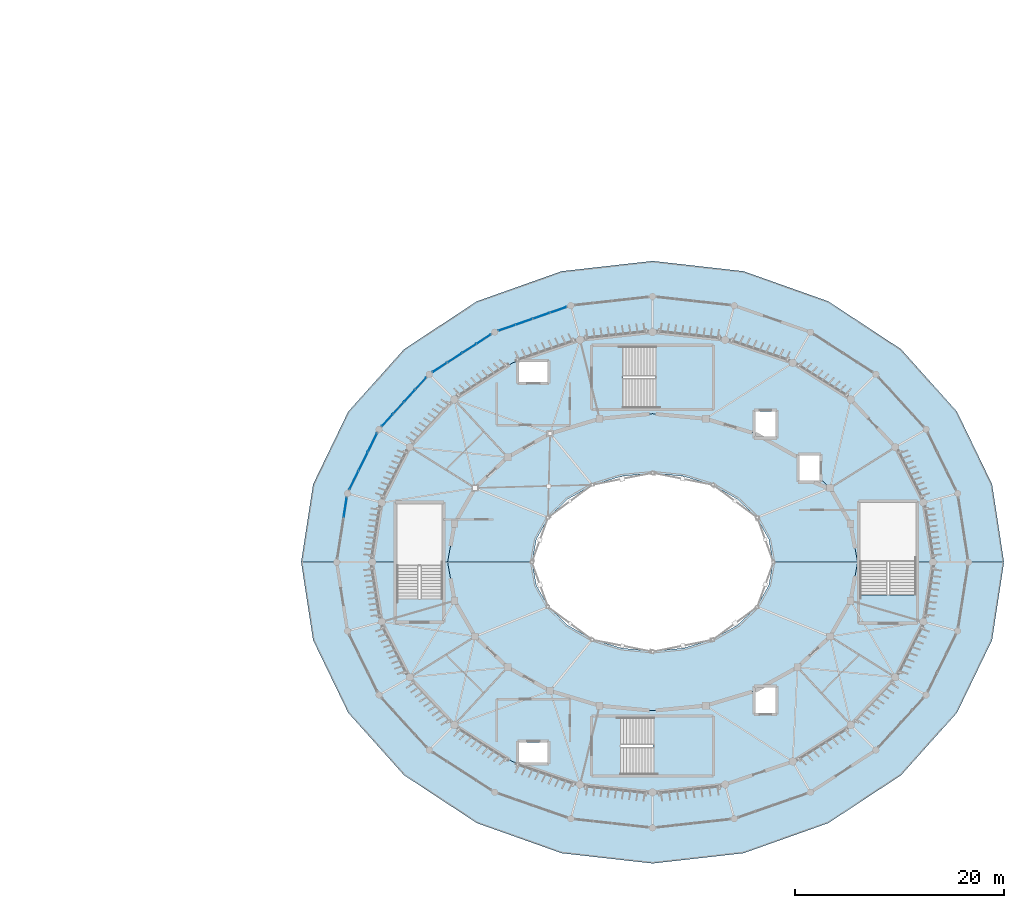
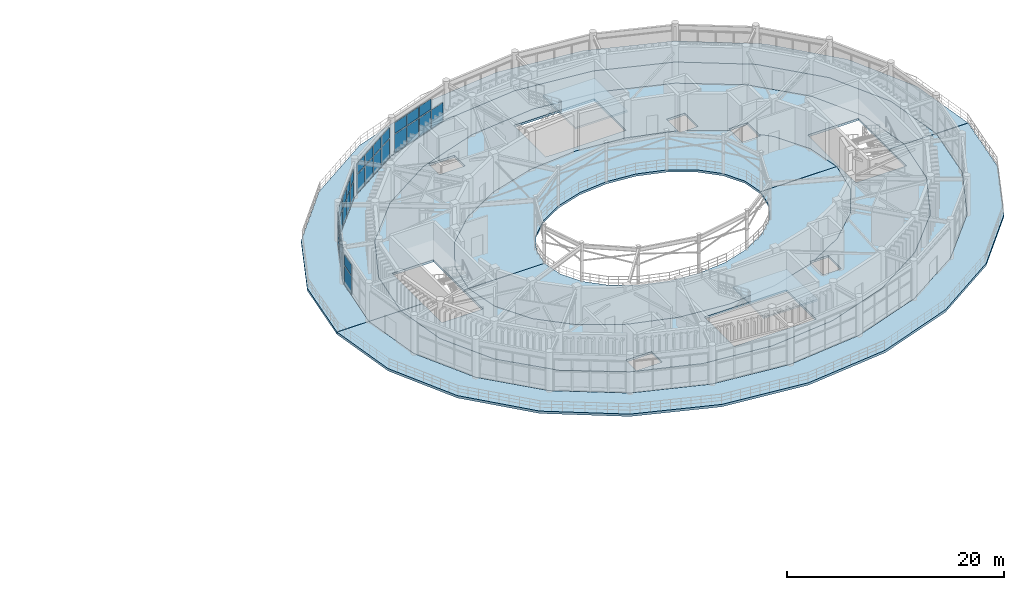
# One storey, part 20 of 45: 31 plates, 10 slabs, 7 elements without a shape of their own.
"""IFC4 building model written with IfcOpenShell, lengths in metres."""

from ifc_helpers import new_model, si_unit, direction, frame, origin, origin_2d, place, context, subcontext, project, spatial, polyline, rectangle, outline, extrude, material, layer, layer_set, type_object, element, aggregate, save


model = new_model("IFC4")

# Units and contexts
model_context = context("Model", 3, precision=1e-05, world=origin(), true_north=direction((0.0, 1.0)))
body_context = subcontext(model_context, "Body", "Model", "MODEL_VIEW")
ifc_project = project(units=[si_unit("LENGTHUNIT", "METRE"), si_unit("AREAUNIT", "SQUARE_METRE"), si_unit("VOLUMEUNIT", "CUBIC_METRE"), si_unit("PLANEANGLEUNIT", "RADIAN"), si_unit("MASSUNIT", "GRAM", prefix="KILO")], contexts=[model_context])

# Site, building, storey
site_placement = place(None, origin())
site = spatial("IfcSite", under=ifc_project, at=site_placement, CompositionType="ELEMENT")
building_placement = place(site_placement, origin())
building = spatial("IfcBuilding", under=site, at=building_placement, Name="Cinderbank Siding Concert Hall", CompositionType="ELEMENT")
storey_placement = place(building_placement, frame((0.0, 0.0, 19.199951171875)))
storey = spatial("IfcBuildingStorey", under=building, at=storey_placement, Name="L05", CompositionType="ELEMENT", Elevation=19.199951171875)

# Curtain wall, plates
ifc_material_1 = material(Name="Anodised aluminium alloy 6063-T6", Category="aluminium")
curtain_wall_type_1 = type_object("IfcCurtainWallType", Name="CW-10 Unitised Acoustic Curtain Wall 7200x3500", PredefinedType="NOTDEFINED", material=ifc_material_1)
curtain_wall_1_placement = place(storey_placement, origin())
curtain_wall_1 = element("IfcCurtainWall", 1, at=curtain_wall_1_placement, inside=storey, type_object=curtain_wall_type_1, Name="L05 Curtain Wall CW-10 #80", PredefinedType="NOTDEFINED")
ifc_material_2 = material(Name="Double-glazed laminated acoustic glass", Category="glass")
ifc_layer_1 = layer(ifc_material_2, 0.035888671875)
ifc_layer_set_1 = layer_set([ifc_layer_1], Name="Double-glazed laminated acoustic glass")
plate_type_1 = type_object("IfcPlateType", Name="CP-01 Glazed Curtain Panel 1800x2200", PredefinedType="CURTAIN_PANEL", material=ifc_layer_set_1)
plate_1_placement = place(storey_placement, frame((99.848388671875, 61.0869140625, 0.1201171875), z_axis=(0.0, 0.0, 1.0), x_axis=(-0.673988610863, -0.738741735945, 0.0)))
plate_1 = element("IfcPlate", 2, at=plate_1_placement, type_object=plate_type_1, Name="CW-L05-080 Glazed Panel 0-0", PredefinedType="CURTAIN_PANEL", context=body_context, shape_type="SweptSolid", body=[
    extrude(rectangle(XDim=1.485107421875, YDim=0.035888671875, at=origin_2d()), origin(), (0.0, 0.0, 1.0), 2.05810546875),
])
plate_2_placement = place(storey_placement, frame((99.848388671875, 61.0869140625, 2.298095703125), z_axis=(0.0, 0.0, 1.0), x_axis=(-0.673988610863, -0.738741735945, 0.0)))
plate_2 = element("IfcPlate", 3, at=plate_2_placement, type_object=plate_type_1, Name="CW-L05-080 Glazed Panel 0-1", PredefinedType="CURTAIN_PANEL", context=body_context, shape_type="SweptSolid", body=[
    extrude(rectangle(XDim=1.485107421875, YDim=0.035888671875, at=origin_2d()), origin(), (0.0, 0.0, 1.0), 1.19189453125),
])
plate_3_placement = place(storey_placement, frame((98.77978515625, 59.915771484375, 0.1201171875), z_axis=(0.0, 0.0, 1.0), x_axis=(-0.673988610863, -0.738741735945, 0.0)))
plate_3 = element("IfcPlate", 4, at=plate_3_placement, type_object=plate_type_1, Name="CW-L05-080 Glazed Panel 1-0", PredefinedType="CURTAIN_PANEL", context=body_context, shape_type="SweptSolid", body=[
    extrude(rectangle(XDim=1.485107421875, YDim=0.035888671875, at=origin_2d()), origin(), (0.0, 0.0, 1.0), 2.05810546875),
])
plate_4_placement = place(storey_placement, frame((98.77978515625, 59.915771484375, 2.298095703125), z_axis=(0.0, 0.0, 1.0), x_axis=(-0.673988610863, -0.738741735945, 0.0)))
plate_4 = element("IfcPlate", 5, at=plate_4_placement, type_object=plate_type_1, Name="CW-L05-080 Glazed Panel 1-1", PredefinedType="CURTAIN_PANEL", context=body_context, shape_type="SweptSolid", body=[
    extrude(rectangle(XDim=1.485107421875, YDim=0.035888671875, at=origin_2d()), origin(), (0.0, 0.0, 1.0), 1.19189453125),
])
plate_5_placement = place(storey_placement, frame((97.71142578125, 58.74462890625, 0.1201171875), z_axis=(0.0, 0.0, 1.0), x_axis=(-0.673988610863, -0.738741735945, 0.0)))
plate_5 = element("IfcPlate", 6, at=plate_5_placement, type_object=plate_type_1, Name="CW-L05-080 Glazed Panel 2-0", PredefinedType="CURTAIN_PANEL", context=body_context, shape_type="SweptSolid", body=[
    extrude(rectangle(XDim=1.485107421875, YDim=0.035888671875, at=origin_2d()), origin(), (0.0, 0.0, 1.0), 2.05810546875),
])
plate_6_placement = place(storey_placement, frame((97.71142578125, 58.74462890625, 2.298095703125), z_axis=(0.0, 0.0, 1.0), x_axis=(-0.673988610863, -0.738741735945, 0.0)))
plate_6 = element("IfcPlate", 7, at=plate_6_placement, type_object=plate_type_1, Name="CW-L05-080 Glazed Panel 2-1", PredefinedType="CURTAIN_PANEL", context=body_context, shape_type="SweptSolid", body=[
    extrude(rectangle(XDim=1.485107421875, YDim=0.035888671875, at=origin_2d()), origin(), (0.0, 0.0, 1.0), 1.19189453125),
])
plate_7_placement = place(storey_placement, frame((96.64306640625, 57.573486328125, 0.1201171875), z_axis=(0.0, 0.0, 1.0), x_axis=(-0.673988610863, -0.738741735945, 0.0)))
plate_7 = element("IfcPlate", 8, at=plate_7_placement, type_object=plate_type_1, Name="CW-L05-080 Glazed Panel 3-0", PredefinedType="CURTAIN_PANEL", context=body_context, shape_type="SweptSolid", body=[
    extrude(rectangle(XDim=1.485107421875, YDim=0.035888671875, at=origin_2d()), origin(), (0.0, 0.0, 1.0), 2.05810546875),
])
plate_8_placement = place(storey_placement, frame((96.64306640625, 57.573486328125, 2.298095703125), z_axis=(0.0, 0.0, 1.0), x_axis=(-0.673988610863, -0.738741735945, 0.0)))
plate_8 = element("IfcPlate", 9, at=plate_8_placement, type_object=plate_type_1, Name="CW-L05-080 Glazed Panel 3-1", PredefinedType="CURTAIN_PANEL", context=body_context, shape_type="SweptSolid", body=[
    extrude(rectangle(XDim=1.485107421875, YDim=0.035888671875, at=origin_2d()), origin(), (0.0, 0.0, 1.0), 1.19189453125),
])
aggregate(curtain_wall_1, [plate_1, plate_2, plate_3, plate_4, plate_5, plate_6, plate_7, plate_8])

curtain_wall_type_2 = type_object("IfcCurtainWallType", Name="CW-11 Unitised Acoustic Curtain Wall 6600x3500", PredefinedType="NOTDEFINED", material=ifc_material_1)
curtain_wall_2_placement = place(storey_placement, origin())
curtain_wall_2 = element("IfcCurtainWall", 10, at=curtain_wall_2_placement, inside=storey, type_object=curtain_wall_type_2, Name="L05 Curtain Wall CW-11 #81", PredefinedType="NOTDEFINED")
ifc_layer_2 = layer(ifc_material_2, 0.035888671875)
ifc_layer_set_2 = layer_set([ifc_layer_2], Name="Double-glazed laminated acoustic glass")
plate_type_2 = type_object("IfcPlateType", Name="CP-02 Glazed Curtain Panel 1800x1900", PredefinedType="CURTAIN_PANEL", material=ifc_layer_set_2)
plate_9_placement = place(storey_placement, frame((95.228271484375, 55.44580078125, 0.1201171875), z_axis=(0.0, 0.0, 1.0), x_axis=(-0.441816401468, -0.897105494016, 0.0)))
plate_9 = element("IfcPlate", 11, at=plate_9_placement, type_object=plate_type_2, Name="CW-L05-081 Glazed Panel 0-0", PredefinedType="CURTAIN_PANEL", context=body_context, shape_type="SweptSolid", body=[
    extrude(rectangle(XDim=1.916259765625, YDim=0.035888671875, at=origin_2d()), origin(), (0.0, 0.0, 1.0), 2.05810546875),
])
plate_10_placement = place(storey_placement, frame((95.228271484375, 55.44580078125, 2.298095703125), z_axis=(0.0, 0.0, 1.0), x_axis=(-0.441816401468, -0.897105494016, 0.0)))
plate_10 = element("IfcPlate", 12, at=plate_10_placement, type_object=plate_type_2, Name="CW-L05-081 Glazed Panel 0-1", PredefinedType="CURTAIN_PANEL", context=body_context, shape_type="SweptSolid", body=[
    extrude(rectangle(XDim=1.916259765625, YDim=0.035888671875, at=origin_2d()), origin(), (0.0, 0.0, 1.0), 1.19189453125),
])
plate_11_placement = place(storey_placement, frame((94.33740234375, 53.636962890625, 0.1201171875), z_axis=(0.0, 0.0, 1.0), x_axis=(-0.441816401468, -0.897105494016, 0.0)))
plate_11 = element("IfcPlate", 13, at=plate_11_placement, type_object=plate_type_2, Name="CW-L05-081 Glazed Panel 1-0", PredefinedType="CURTAIN_PANEL", context=body_context, shape_type="SweptSolid", body=[
    extrude(rectangle(XDim=1.916259765625, YDim=0.035888671875, at=origin_2d()), origin(), (0.0, 0.0, 1.0), 2.05810546875),
])
plate_12_placement = place(storey_placement, frame((94.33740234375, 53.636962890625, 2.298095703125), z_axis=(0.0, 0.0, 1.0), x_axis=(-0.441816401468, -0.897105494016, 0.0)))
plate_12 = element("IfcPlate", 14, at=plate_12_placement, type_object=plate_type_2, Name="CW-L05-081 Glazed Panel 1-1", PredefinedType="CURTAIN_PANEL", context=body_context, shape_type="SweptSolid", body=[
    extrude(rectangle(XDim=1.916259765625, YDim=0.035888671875, at=origin_2d()), origin(), (0.0, 0.0, 1.0), 1.19189453125),
])
plate_13_placement = place(storey_placement, frame((93.44677734375, 51.828125, 0.1201171875), z_axis=(0.0, 0.0, 1.0), x_axis=(-0.441816401468, -0.897105494016, 0.0)))
plate_13 = element("IfcPlate", 15, at=plate_13_placement, type_object=plate_type_2, Name="CW-L05-081 Glazed Panel 2-0", PredefinedType="CURTAIN_PANEL", context=body_context, shape_type="SweptSolid", body=[
    extrude(rectangle(XDim=1.916259765625, YDim=0.035888671875, at=origin_2d()), origin(), (0.0, 0.0, 1.0), 2.05810546875),
])
plate_14_placement = place(storey_placement, frame((93.44677734375, 51.828125, 2.298095703125), z_axis=(0.0, 0.0, 1.0), x_axis=(-0.441816401468, -0.897105494016, 0.0)))
plate_14 = element("IfcPlate", 16, at=plate_14_placement, type_object=plate_type_2, Name="CW-L05-081 Glazed Panel 2-1", PredefinedType="CURTAIN_PANEL", context=body_context, shape_type="SweptSolid", body=[
    extrude(rectangle(XDim=1.916259765625, YDim=0.035888671875, at=origin_2d()), origin(), (0.0, 0.0, 1.0), 1.19189453125),
])
aggregate(curtain_wall_2, [plate_9, plate_10, plate_11, plate_12, plate_13, plate_14])

curtain_wall_type_3 = type_object("IfcCurtainWallType", Name="CW-12 Unitised Acoustic Curtain Wall 5800x3500", PredefinedType="NOTDEFINED", material=ifc_material_1)
curtain_wall_3_placement = place(storey_placement, origin())
curtain_wall_3 = element("IfcCurtainWall", 17, at=curtain_wall_3_placement, inside=storey, type_object=curtain_wall_type_3, Name="L05 Curtain Wall CW-12 #82", PredefinedType="NOTDEFINED")
ifc_layer_3 = layer(ifc_material_2, 0.035888671875)
ifc_layer_set_3 = layer_set([ifc_layer_3], Name="Double-glazed laminated acoustic glass")
plate_type_3 = type_object("IfcPlateType", Name="CP-03 Glazed Curtain Panel 1600x2100", PredefinedType="CURTAIN_PANEL", material=ifc_layer_set_3)
plate_15_placement = place(storey_placement, frame((92.6171875, 49.221435546875, 0.1201171875), z_axis=(0.0, 0.0, 1.0), x_axis=(-0.154642773708, -0.987970451248, 0.0)))
plate_15 = element("IfcPlate", 18, at=plate_15_placement, type_object=plate_type_3, Name="CW-L05-082 Glazed Panel 0-0", PredefinedType="CURTAIN_PANEL", context=body_context, shape_type="SweptSolid", body=[
    extrude(rectangle(XDim=1.85791015625, YDim=0.035888671875, at=origin_2d()), origin(), (0.0, 0.0, 1.0), 2.05810546875),
])
plate_16_placement = place(storey_placement, frame((92.6171875, 49.221435546875, 2.298095703125), z_axis=(0.0, 0.0, 1.0), x_axis=(-0.154642773708, -0.987970451248, 0.0)))
plate_16 = element("IfcPlate", 19, at=plate_16_placement, type_object=plate_type_3, Name="CW-L05-082 Glazed Panel 0-1", PredefinedType="CURTAIN_PANEL", context=body_context, shape_type="SweptSolid", body=[
    extrude(rectangle(XDim=1.85791015625, YDim=0.035888671875, at=origin_2d()), origin(), (0.0, 0.0, 1.0), 1.19189453125),
])
aggregate(curtain_wall_3, [plate_15, plate_16])

curtain_wall_4_placement = place(storey_placement, origin())
curtain_wall_4 = element("IfcCurtainWall", 20, at=curtain_wall_4_placement, inside=storey, type_object=curtain_wall_type_3, Name="L05 Curtain Wall CW-12 #78", PredefinedType="NOTDEFINED")
ifc_layer_4 = layer(ifc_material_2, 0.033935546875)
ifc_layer_set_4 = layer_set([ifc_layer_4], Name="Double-glazed laminated acoustic glass")
plate_type_4 = type_object("IfcPlateType", Name="CP-07 Glazed Curtain Panel 1500x1750", PredefinedType="CURTAIN_PANEL", material=ifc_layer_set_4)
plate_17_placement = place(storey_placement, frame((112.9970703125, 68.12109375, 0.1201171875), z_axis=(0.0, 0.0, 1.0), x_axis=(-0.944334191914, -0.328987741387, 0.0)))
plate_17 = element("IfcPlate", 21, at=plate_17_placement, type_object=plate_type_4, Name="CW-L05-078 Glazed Panel 0-0", PredefinedType="CURTAIN_PANEL", context=body_context, shape_type="SweptSolid", body=[
    extrude(rectangle(XDim=1.63330078125, YDim=0.035888671875, at=origin_2d()), origin(), (0.0, 0.0, 1.0), 2.05810546875),
])
plate_18_placement = place(storey_placement, frame((111.360107421875, 67.55078125, 0.1201171875), z_axis=(0.0, 0.0, 1.0), x_axis=(-0.944334191914, -0.328987741387, 0.0)))
plate_18 = element("IfcPlate", 22, at=plate_18_placement, type_object=plate_type_4, Name="CW-L05-078 Glazed Panel 1-0", PredefinedType="CURTAIN_PANEL", context=body_context, shape_type="SweptSolid", body=[
    extrude(rectangle(XDim=1.63330078125, YDim=0.035888671875, at=origin_2d()), origin(), (0.0, 0.0, 1.0), 2.05810546875),
])
plate_19_placement = place(storey_placement, frame((111.360107421875, 67.55078125, 2.298095703125), z_axis=(0.0, 0.0, 1.0), x_axis=(-0.944334191914, -0.328987741387, 0.0)))
plate_19 = element("IfcPlate", 23, at=plate_19_placement, type_object=plate_type_4, Name="CW-L05-078 Glazed Panel 1-1", PredefinedType="CURTAIN_PANEL", context=body_context, shape_type="SweptSolid", body=[
    extrude(rectangle(XDim=1.63330078125, YDim=0.035888671875, at=origin_2d()), origin(), (0.0, 0.0, 1.0), 1.19189453125),
])
plate_20_placement = place(storey_placement, frame((109.723388671875, 66.980712890625, 0.1201171875), z_axis=(0.0, 0.0, 1.0), x_axis=(-0.944334191914, -0.328987741387, 0.0)))
plate_20 = element("IfcPlate", 24, at=plate_20_placement, type_object=plate_type_4, Name="CW-L05-078 Glazed Panel 2-0", PredefinedType="CURTAIN_PANEL", context=body_context, shape_type="SweptSolid", body=[
    extrude(rectangle(XDim=1.63330078125, YDim=0.035888671875, at=origin_2d()), origin(), (0.0, 0.0, 1.0), 2.05810546875),
])
plate_21_placement = place(storey_placement, frame((109.723388671875, 66.980712890625, 2.298095703125), z_axis=(0.0, 0.0, 1.0), x_axis=(-0.944334191914, -0.328987741387, 0.0)))
plate_21 = element("IfcPlate", 25, at=plate_21_placement, type_object=plate_type_4, Name="CW-L05-078 Glazed Panel 2-1", PredefinedType="CURTAIN_PANEL", context=body_context, shape_type="SweptSolid", body=[
    extrude(rectangle(XDim=1.63330078125, YDim=0.035888671875, at=origin_2d()), origin(), (0.0, 0.0, 1.0), 1.19189453125),
])
plate_22_placement = place(storey_placement, frame((108.086669921875, 66.410400390625, 0.1201171875), z_axis=(0.0, 0.0, 1.0), x_axis=(-0.944334191914, -0.328987741387, 0.0)))
plate_22 = element("IfcPlate", 26, at=plate_22_placement, type_object=plate_type_4, Name="CW-L05-078 Glazed Panel 3-0", PredefinedType="CURTAIN_PANEL", context=body_context, shape_type="SweptSolid", body=[
    extrude(rectangle(XDim=1.63330078125, YDim=0.035888671875, at=origin_2d()), origin(), (0.0, 0.0, 1.0), 2.05810546875),
])
plate_23_placement = place(storey_placement, frame((108.086669921875, 66.410400390625, 2.298095703125), z_axis=(0.0, 0.0, 1.0), x_axis=(-0.944334191914, -0.328987741387, 0.0)))
plate_23 = element("IfcPlate", 27, at=plate_23_placement, type_object=plate_type_4, Name="CW-L05-078 Glazed Panel 3-1", PredefinedType="CURTAIN_PANEL", context=body_context, shape_type="SweptSolid", body=[
    extrude(rectangle(XDim=1.63330078125, YDim=0.035888671875, at=origin_2d()), origin(), (0.0, 0.0, 1.0), 1.19189453125),
])
aggregate(curtain_wall_4, [plate_17, plate_18, plate_19, plate_20, plate_21, plate_22, plate_23])

curtain_wall_type_4 = type_object("IfcCurtainWallType", Name="CW-09 Unitised Acoustic Curtain Wall 8000x3500", PredefinedType="NOTDEFINED", material=ifc_material_1)
curtain_wall_5_placement = place(storey_placement, origin())
curtain_wall_5 = element("IfcCurtainWall", 28, at=curtain_wall_5_placement, inside=storey, type_object=curtain_wall_type_4, Name="L05 Curtain Wall CW-09 #79", PredefinedType="NOTDEFINED")
ifc_layer_5 = layer(ifc_material_2, 0.033935546875)
ifc_layer_set_5 = layer_set([ifc_layer_5], Name="Double-glazed laminated acoustic glass")
plate_type_5 = type_object("IfcPlateType", Name="CP-08 Glazed Curtain Panel 1700x1550", PredefinedType="CURTAIN_PANEL", material=ifc_layer_set_5)
plate_24_placement = place(storey_placement, frame((105.872314453125, 65.333740234375, 0.1201171875), z_axis=(0.0, 0.0, 1.0), x_axis=(-0.840218663385, -0.542247727243, 0.0)))
plate_24 = element("IfcPlate", 29, at=plate_24_placement, type_object=plate_type_5, Name="CW-L05-079 Glazed Panel 0-0", PredefinedType="CURTAIN_PANEL", context=body_context, shape_type="SweptSolid", body=[
    extrude(rectangle(XDim=1.56591796875, YDim=0.035888671875, at=origin_2d()), origin(), (0.0, 0.0, 1.0), 2.05810546875),
])
plate_25_placement = place(storey_placement, frame((105.872314453125, 65.333740234375, 2.298095703125), z_axis=(0.0, 0.0, 1.0), x_axis=(-0.840218663385, -0.542247727243, 0.0)))
plate_25 = element("IfcPlate", 30, at=plate_25_placement, type_object=plate_type_5, Name="CW-L05-079 Glazed Panel 0-1", PredefinedType="CURTAIN_PANEL", context=body_context, shape_type="SweptSolid", body=[
    extrude(rectangle(XDim=1.56591796875, YDim=0.035888671875, at=origin_2d()), origin(), (0.0, 0.0, 1.0), 1.19189453125),
])
plate_26_placement = place(storey_placement, frame((104.47265625, 64.430419921875, 0.1201171875), z_axis=(0.0, 0.0, 1.0), x_axis=(-0.840218663385, -0.542247727243, 0.0)))
plate_26 = element("IfcPlate", 31, at=plate_26_placement, type_object=plate_type_5, Name="CW-L05-079 Glazed Panel 1-0", PredefinedType="CURTAIN_PANEL", context=body_context, shape_type="SweptSolid", body=[
    extrude(rectangle(XDim=1.56591796875, YDim=0.035888671875, at=origin_2d()), origin(), (0.0, 0.0, 1.0), 2.05810546875),
])
plate_27_placement = place(storey_placement, frame((104.47265625, 64.430419921875, 2.298095703125), z_axis=(0.0, 0.0, 1.0), x_axis=(-0.840218663385, -0.542247727243, 0.0)))
plate_27 = element("IfcPlate", 32, at=plate_27_placement, type_object=plate_type_5, Name="CW-L05-079 Glazed Panel 1-1", PredefinedType="CURTAIN_PANEL", context=body_context, shape_type="SweptSolid", body=[
    extrude(rectangle(XDim=1.56591796875, YDim=0.035888671875, at=origin_2d()), origin(), (0.0, 0.0, 1.0), 1.19189453125),
])
plate_28_placement = place(storey_placement, frame((103.07275390625, 63.527099609375, 0.1201171875), z_axis=(0.0, 0.0, 1.0), x_axis=(-0.840218663385, -0.542247727243, 0.0)))
plate_28 = element("IfcPlate", 33, at=plate_28_placement, type_object=plate_type_5, Name="CW-L05-079 Glazed Panel 2-0", PredefinedType="CURTAIN_PANEL", context=body_context, shape_type="SweptSolid", body=[
    extrude(rectangle(XDim=1.56591796875, YDim=0.035888671875, at=origin_2d()), origin(), (0.0, 0.0, 1.0), 2.05810546875),
])
plate_29_placement = place(storey_placement, frame((103.07275390625, 63.527099609375, 2.298095703125), z_axis=(0.0, 0.0, 1.0), x_axis=(-0.840218663385, -0.542247727243, 0.0)))
plate_29 = element("IfcPlate", 34, at=plate_29_placement, type_object=plate_type_5, Name="CW-L05-079 Glazed Panel 2-1", PredefinedType="CURTAIN_PANEL", context=body_context, shape_type="SweptSolid", body=[
    extrude(rectangle(XDim=1.56591796875, YDim=0.035888671875, at=origin_2d()), origin(), (0.0, 0.0, 1.0), 1.19189453125),
])
plate_30_placement = place(storey_placement, frame((101.673095703125, 62.623779296875, 0.1201171875), z_axis=(0.0, 0.0, 1.0), x_axis=(-0.840218663385, -0.542247727243, 0.0)))
plate_30 = element("IfcPlate", 35, at=plate_30_placement, type_object=plate_type_5, Name="CW-L05-079 Glazed Panel 3-0", PredefinedType="CURTAIN_PANEL", context=body_context, shape_type="SweptSolid", body=[
    extrude(rectangle(XDim=1.56591796875, YDim=0.035888671875, at=origin_2d()), origin(), (0.0, 0.0, 1.0), 2.05810546875),
])
plate_31_placement = place(storey_placement, frame((101.673095703125, 62.623779296875, 2.298095703125), z_axis=(0.0, 0.0, 1.0), x_axis=(-0.840218663385, -0.542247727243, 0.0)))
plate_31 = element("IfcPlate", 36, at=plate_31_placement, type_object=plate_type_5, Name="CW-L05-079 Glazed Panel 3-1", PredefinedType="CURTAIN_PANEL", context=body_context, shape_type="SweptSolid", body=[
    extrude(rectangle(XDim=1.56591796875, YDim=0.035888671875, at=origin_2d()), origin(), (0.0, 0.0, 1.0), 1.19189453125),
])
aggregate(curtain_wall_5, [plate_24, plate_25, plate_26, plate_27, plate_28, plate_29, plate_30, plate_31])

# Stair, slab
ifc_material_3 = material(Name="Reinforced concrete AS 3600 N50 (50 MPa)", Category="concrete")
stair_type_1 = type_object("IfcStairType", Name="STR-J Dogleg Exit Stair 2850mm", PredefinedType="HALF_TURN_STAIR", material=ifc_material_3)
stair_1_placement = place(storey_placement, origin())
stair_1 = element("IfcStair", 37, at=stair_1_placement, inside=storey, type_object=stair_type_1, Name="L05 Fire-isolated Exit Stair ST-01", PredefinedType="HALF_TURN_STAIR")
ifc_layer_6 = layer(ifc_material_3, 0.199951171875)
ifc_layer_set_6 = layer_set([ifc_layer_6], Name="Reinforced concrete AS 3600 N50 (50 MPa)")
slab_type_1 = type_object("IfcSlabType", Name="LD-02 Slab 200mm", PredefinedType="LANDING", material=ifc_layer_set_6)
slab_1_placement = place(storey_placement, frame((0.0, 0.0, 2.050048828125)))
slab_1 = element("IfcSlab", 38, at=slab_1_placement, type_object=slab_type_1, Name="ST-01 landing 1", PredefinedType="LANDING", context=body_context, shape_type="SweptSolid", body=[
    extrude(outline(polyline([(122.260009765625, 58.669921875), (122.260009765625, 64.68994140625), (127.780029296875, 64.68994140625), (127.780029296875, 58.669921875), (122.260009765625, 58.669921875)])), origin(), (0.0, 0.0, 1.0), 0.199951171875),
])
aggregate(stair_1, [slab_1])

stair_type_2 = type_object("IfcStairType", Name="STR-A Dogleg Exit Stair 2650mm", PredefinedType="HALF_TURN_STAIR", material=ifc_material_3)
stair_2_placement = place(storey_placement, origin())
stair_2 = element("IfcStair", 39, at=stair_2_placement, inside=storey, type_object=stair_type_2, Name="L05 Fire-isolated Exit Stair ST-02", PredefinedType="HALF_TURN_STAIR")
slab_2_placement = place(storey_placement, frame((0.0, 0.0, 2.050048828125)))
slab_2 = element("IfcSlab", 40, at=slab_2_placement, type_object=slab_type_1, Name="ST-02 landing 1", PredefinedType="LANDING", context=body_context, shape_type="SweptSolid", body=[
    extrude(outline(polyline([(122.06005859375, 23.6201171875), (122.06005859375, 29.239990234375), (127.780029296875, 29.239990234375), (127.780029296875, 23.6201171875), (122.06005859375, 23.6201171875)])), origin(), (0.0, 0.0, 1.0), 0.199951171875),
])
aggregate(stair_2, [slab_2])

# Slabs
ifc_layer_7 = layer(ifc_material_3, 0.25)
ifc_layer_set_7 = layer_set([ifc_layer_7], Name="Reinforced concrete AS 3600 N50 (50 MPa)")
slab_type_2 = type_object("IfcSlabType", Name="SL-04 Slab 250mm", PredefinedType="FLOOR", material=ifc_layer_set_7)
slab_3_placement = place(storey_placement, frame((0.0, 0.0, -0.25)))
element("IfcSlab", 41, at=slab_3_placement, inside=storey, type_object=slab_type_2, Name="L05 Upper Acoustic Gallery Ring North", PredefinedType="FLOOR", context=body_context, shape_type="SweptSolid", body=[
    extrude(outline(polyline([(108.140625, 54.041015625), (112.199951171875, 56.297607421875), (116.927001953125, 57.716064453125), (122.0, 58.199951171875), (127.072998046875, 57.716064453125), (131.800048828125, 56.297607421875), (131.820068359375, 55.969970703125), (132.389404296875, 55.969970703125), (135.859375, 54.041015625), (136.02001953125, 53.88916015625), (136.02001953125, 51.77001953125), (137.97998046875, 51.77001953125), (137.97998046875, 52.03857421875), (138.97412109375, 51.10009765625), (140.93212890625, 47.67529296875), (141.598876953125, 44.006103515625), (133.498779296875, 44.006103515625), (133.108154296875, 46.199951171875), (131.959228515625, 48.25), (130.131591796875, 50.010498046875), (127.75, 51.361083984375), (124.976318359375, 52.21044921875), (122.0, 52.5), (119.023681640625, 52.21044921875), (116.25, 51.361083984375), (113.868408203125, 50.010498046875), (112.040771484375, 48.25), (110.891845703125, 46.199951171875), (110.501220703125, 44.006103515625), (102.401123046875, 44.006103515625), (103.06787109375, 47.67529296875), (105.02587890625, 51.10009765625), (108.140625, 54.041015625)])), origin(), (0.0, 0.0, 1.0), 0.25),
])
slab_4_placement = place(storey_placement, frame((0.0, 0.0, -0.25)))
element("IfcSlab", 42, at=slab_4_placement, inside=storey, type_object=slab_type_2, Name="L05 Upper Acoustic Gallery Ring South", PredefinedType="FLOOR", context=body_context, shape_type="SweptSolid", body=[
    extrude(outline(polyline([(135.859375, 33.958984375), (132.389404296875, 32.030029296875), (131.820068359375, 32.030029296875), (131.800048828125, 31.702392578125), (127.072998046875, 30.283935546875), (122.0, 29.800048828125), (116.927001953125, 30.283935546875), (112.199951171875, 31.702392578125), (108.140625, 33.958984375), (105.02587890625, 36.89990234375), (103.06787109375, 40.32470703125), (102.401123046875, 43.993896484375), (110.501220703125, 43.993896484375), (110.891845703125, 41.800048828125), (112.040771484375, 39.75), (113.868408203125, 37.989501953125), (116.25, 36.638916015625), (119.023681640625, 35.78955078125), (122.0, 35.5), (124.976318359375, 35.78955078125), (127.75, 36.638916015625), (130.131591796875, 37.989501953125), (131.959228515625, 39.75), (133.108154296875, 41.800048828125), (133.498779296875, 43.993896484375), (141.598876953125, 43.993896484375), (140.93212890625, 40.32470703125), (138.97412109375, 36.89990234375), (135.859375, 33.958984375)])), origin(), (0.0, 0.0, 1.0), 0.25),
])
slab_5_placement = place(storey_placement, frame((0.0, 0.0, -0.25)))
element("IfcSlab", 43, at=slab_5_placement, inside=storey, type_object=slab_type_2, Name="L05 Broadcast & Archive Drum Ring North", PredefinedType="FLOOR", context=body_context, shape_type="SweptSolid", body=[
    extrude(outline(polyline([(122.0, 66.0), (128.936279296875, 65.25048828125), (135.39990234375, 63.052490234375), (140.950439453125, 59.556396484375), (145.20947265625, 55.0), (147.88671875, 49.694091796875), (148.799072265625, 44.006103515625), (147.219970703125, 44.006103515625), (147.219970703125, 49.719970703125), (141.820068359375, 49.719970703125), (141.820068359375, 44.006103515625), (141.598876953125, 44.006103515625), (140.93212890625, 47.67529296875), (138.97412109375, 51.10009765625), (137.97998046875, 52.03857421875), (137.97998046875, 54.22998046875), (136.02001953125, 54.22998046875), (136.02001953125, 53.88916015625), (135.859375, 54.041015625), (132.389404296875, 55.969970703125), (133.780029296875, 55.969970703125), (133.780029296875, 58.429931640625), (131.820068359375, 58.429931640625), (131.820068359375, 56.28662109375), (127.072998046875, 57.716064453125), (122.0, 58.199951171875), (116.927001953125, 57.716064453125), (112.199951171875, 56.297607421875), (108.140625, 54.041015625), (105.02587890625, 51.10009765625), (103.06787109375, 47.67529296875), (102.401123046875, 44.006103515625), (101.919921875, 44.006103515625), (101.919921875, 49.6201171875), (97.52001953125, 49.6201171875), (97.52001953125, 44.006103515625), (95.200927734375, 44.006103515625), (96.11328125, 49.694091796875), (98.79052734375, 55.0), (103.049560546875, 59.556396484375), (108.60009765625, 63.052490234375), (115.063720703125, 65.25048828125), (122.0, 66.0)]), holes=[polyline([(119.14990234375, 58.75), (127.699951171875, 58.75), (127.699951171875, 64.610107421875), (119.14990234375, 64.610107421875), (119.14990234375, 58.75)]), polyline([(111.97998046875, 61.219970703125), (111.97998046875, 63.179931640625), (109.219970703125, 63.179931640625), (109.219970703125, 61.219970703125), (111.97998046875, 61.219970703125)])]), origin(), (0.0, 0.0, 1.0), 0.25),
])
slab_6_placement = place(storey_placement, frame((0.0, 0.0, -0.25)))
element("IfcSlab", 44, at=slab_6_placement, inside=storey, type_object=slab_type_2, Name="L05 Broadcast & Archive Drum Ring South", PredefinedType="FLOOR", context=body_context, shape_type="SweptSolid", body=[
    extrude(outline(polyline([(122.0, 22.0), (115.063720703125, 22.74951171875), (108.60009765625, 24.947509765625), (103.049560546875, 28.443603515625), (98.79052734375, 33.0), (96.11328125, 38.305908203125), (95.200927734375, 43.993896484375), (97.52001953125, 43.993896484375), (97.52001953125, 40.47998046875), (101.919921875, 40.47998046875), (101.919921875, 43.993896484375), (102.401123046875, 43.993896484375), (103.06787109375, 40.32470703125), (105.02587890625, 36.89990234375), (108.140625, 33.958984375), (112.199951171875, 31.702392578125), (116.927001953125, 30.283935546875), (122.0, 29.800048828125), (127.072998046875, 30.283935546875), (131.820068359375, 31.71337890625), (131.820068359375, 29.570068359375), (133.780029296875, 29.570068359375), (133.780029296875, 32.030029296875), (132.389404296875, 32.030029296875), (135.859375, 33.958984375), (138.97412109375, 36.89990234375), (140.93212890625, 40.32470703125), (141.598876953125, 43.993896484375), (141.820068359375, 43.993896484375), (141.820068359375, 40.8798828125), (147.219970703125, 40.8798828125), (147.219970703125, 43.993896484375), (148.799072265625, 43.993896484375), (147.88671875, 38.305908203125), (145.20947265625, 33.0), (140.950439453125, 28.443603515625), (135.39990234375, 24.947509765625), (128.936279296875, 22.74951171875), (122.0, 22.0)]), holes=[polyline([(118.949951171875, 23.699951171875), (127.699951171875, 23.699951171875), (127.699951171875, 29.159912109375), (118.949951171875, 29.159912109375), (118.949951171875, 23.699951171875)]), polyline([(111.97998046875, 24.820068359375), (111.97998046875, 26.780029296875), (109.219970703125, 26.780029296875), (109.219970703125, 24.820068359375), (111.97998046875, 24.820068359375)])]), origin(), (0.0, 0.0, 1.0), 0.25),
])
ifc_layer_8 = layer(ifc_material_3, 0.239990234375)
ifc_layer_set_8 = layer_set([ifc_layer_8], Name="Reinforced concrete AS 3600 N50 (50 MPa)")
slab_type_3 = type_object("IfcSlabType", Name="SL-06 Slab 240mm", PredefinedType="FLOOR", material=ifc_layer_set_8)
slab_7_placement = place(storey_placement, frame((0.0, 0.0, -0.239990234375)))
element("IfcSlab", 45, at=slab_7_placement, inside=storey, type_object=slab_type_3, Name="L05 Panorama Foyer & Sky Bar Ring North", PredefinedType="FLOOR", context=body_context, shape_type="SweptSolid", body=[
    extrude(outline(polyline([(92.8291015625, 50.573974609375), (95.845947265625, 56.699951171875), (100.6455078125, 61.96044921875), (106.89990234375, 65.9970703125), (114.18359375, 68.534423828125), (122.0, 69.39990234375), (129.81640625, 68.534423828125), (137.10009765625, 65.9970703125), (143.3544921875, 61.96044921875), (148.154052734375, 56.699951171875), (151.1708984375, 50.573974609375), (152.19921875, 44.006103515625), (148.799072265625, 44.006103515625), (147.88671875, 49.694091796875), (145.20947265625, 55.0), (140.950439453125, 59.556396484375), (135.39990234375, 63.052490234375), (128.936279296875, 65.25048828125), (122.0, 66.0), (115.063720703125, 65.25048828125), (108.60009765625, 63.052490234375), (103.049560546875, 59.556396484375), (98.79052734375, 55.0), (96.11328125, 49.694091796875), (95.200927734375, 44.006103515625), (91.80078125, 44.006103515625), (92.8291015625, 50.573974609375)])), origin(), (0.0, 0.0, 1.0), 0.239990234375),
])
slab_8_placement = place(storey_placement, frame((0.0, 0.0, -0.239990234375)))
element("IfcSlab", 46, at=slab_8_placement, inside=storey, type_object=slab_type_3, Name="L05 Panorama Foyer & Sky Bar Ring South", PredefinedType="FLOOR", context=body_context, shape_type="SweptSolid", body=[
    extrude(outline(polyline([(148.154052734375, 31.300048828125), (143.3544921875, 26.03955078125), (137.10009765625, 22.0029296875), (129.81640625, 19.465576171875), (122.0, 18.60009765625), (114.18359375, 19.465576171875), (106.89990234375, 22.0029296875), (100.6455078125, 26.03955078125), (95.845947265625, 31.300048828125), (92.8291015625, 37.426025390625), (91.80078125, 43.993896484375), (95.200927734375, 43.993896484375), (96.11328125, 38.305908203125), (98.79052734375, 33.0), (103.049560546875, 28.443603515625), (108.60009765625, 24.947509765625), (115.063720703125, 22.74951171875), (122.0, 22.0), (128.936279296875, 22.74951171875), (135.39990234375, 24.947509765625), (140.950439453125, 28.443603515625), (145.20947265625, 33.0), (147.88671875, 38.305908203125), (148.799072265625, 43.993896484375), (152.19921875, 43.993896484375), (151.1708984375, 37.426025390625), (148.154052734375, 31.300048828125)])), origin(), (0.0, 0.0, 1.0), 0.239990234375),
])
ifc_layer_9 = layer(ifc_material_3, 0.27001953125)
ifc_layer_set_9 = layer_set([ifc_layer_9], Name="Reinforced concrete AS 3600 N50 (50 MPa)")
slab_type_4 = type_object("IfcSlabType", Name="SL-TR1 Slab 270mm", PredefinedType="FLOOR", material=ifc_layer_set_9)
slab_9_placement = place(storey_placement, frame((0.0, 0.0, -0.27001953125)))
element("IfcSlab", 47, at=slab_9_placement, inside=storey, type_object=slab_type_4, Name="L05 Stepped Foyer Walkable Terrace North", PredefinedType="FLOOR", context=body_context, shape_type="SweptSolid", body=[
    extrude(outline(polyline([(89.544921875, 51.4541015625), (92.901611328125, 58.39990234375), (98.2412109375, 64.36474609375), (105.199951171875, 68.94140625), (113.3037109375, 71.818603515625), (122.0, 72.800048828125), (130.6962890625, 71.818603515625), (138.800048828125, 68.94140625), (145.7587890625, 64.36474609375), (151.098388671875, 58.39990234375), (154.455078125, 51.4541015625), (155.59912109375, 44.006103515625), (152.19921875, 44.006103515625), (151.1708984375, 50.573974609375), (148.154052734375, 56.699951171875), (143.3544921875, 61.96044921875), (137.10009765625, 65.9970703125), (129.81640625, 68.534423828125), (122.0, 69.39990234375), (114.18359375, 68.534423828125), (106.89990234375, 65.9970703125), (100.6455078125, 61.96044921875), (95.845947265625, 56.699951171875), (92.8291015625, 50.573974609375), (91.80078125, 44.006103515625), (88.40087890625, 44.006103515625), (89.544921875, 51.4541015625)])), origin(), (0.0, 0.0, 1.0), 0.27001953125),
])
slab_10_placement = place(storey_placement, frame((0.0, 0.0, -0.27001953125)))
element("IfcSlab", 48, at=slab_10_placement, inside=storey, type_object=slab_type_4, Name="L05 Stepped Foyer Walkable Terrace South", PredefinedType="FLOOR", context=body_context, shape_type="SweptSolid", body=[
    extrude(outline(polyline([(151.098388671875, 29.60009765625), (145.7587890625, 23.63525390625), (138.800048828125, 19.05859375), (130.6962890625, 16.181396484375), (122.0, 15.199951171875), (113.3037109375, 16.181396484375), (105.199951171875, 19.05859375), (98.2412109375, 23.63525390625), (92.901611328125, 29.60009765625), (89.544921875, 36.5458984375), (88.40087890625, 43.993896484375), (91.80078125, 43.993896484375), (92.8291015625, 37.426025390625), (95.845947265625, 31.300048828125), (100.6455078125, 26.03955078125), (106.89990234375, 22.0029296875), (114.18359375, 19.465576171875), (122.0, 18.60009765625), (129.81640625, 19.465576171875), (137.10009765625, 22.0029296875), (143.3544921875, 26.03955078125), (148.154052734375, 31.300048828125), (151.1708984375, 37.426025390625), (152.19921875, 43.993896484375), (155.59912109375, 43.993896484375), (154.455078125, 36.5458984375), (151.098388671875, 29.60009765625)])), origin(), (0.0, 0.0, 1.0), 0.27001953125),
])

save(model, "model.ifc")
